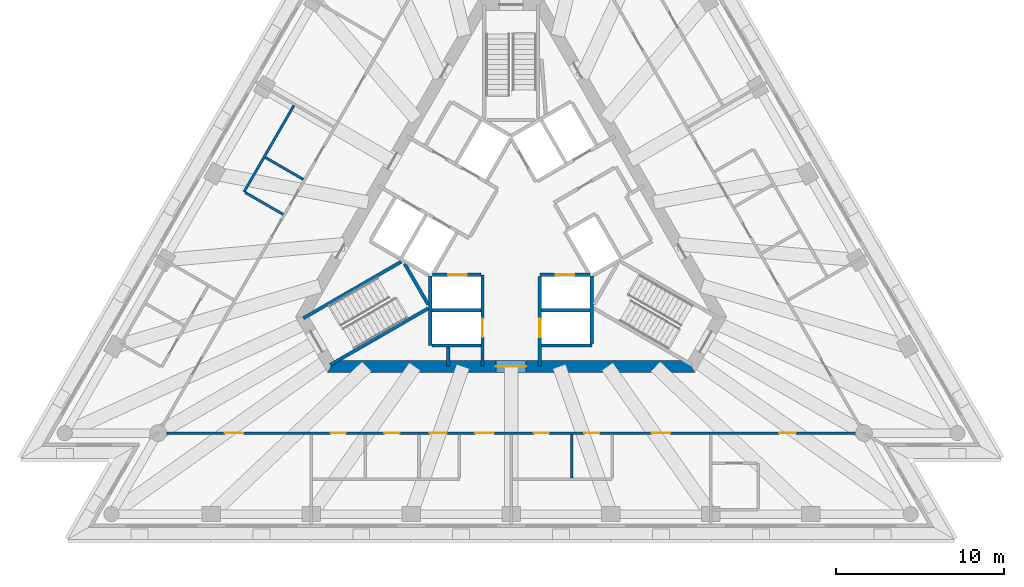
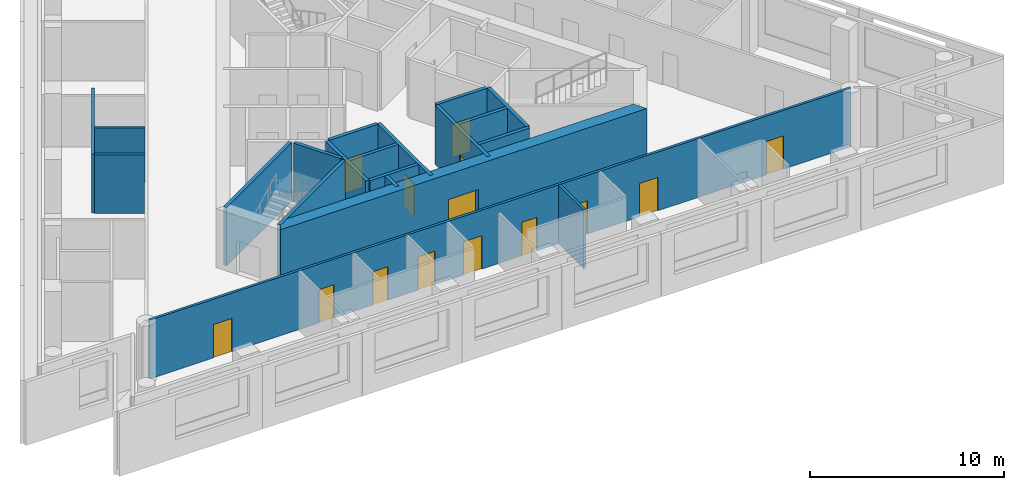
# One storey, part 3 of 9: 20 walls, 14 doors, 14 openings.
"""IFC4 building model written with IfcOpenShell, lengths in metres."""

from ifc_helpers import new_model, si_unit, direction, frame, frame_2d, origin, place, context, subcontext, project, spatial, polyline, rectangle, outline, extrude, material, layer, layer_set, type_object, element, fill, save


model = new_model("IFC4")

# Units and contexts
model_context = context("Model", 3, precision=1e-05, world=origin(), true_north=direction((0.0, 1.0)))
body_context = subcontext(model_context, "Body", "Model", "MODEL_VIEW")
ifc_project = project(units=[si_unit("LENGTHUNIT", "METRE"), si_unit("AREAUNIT", "SQUARE_METRE"), si_unit("VOLUMEUNIT", "CUBIC_METRE"), si_unit("PLANEANGLEUNIT", "RADIAN"), si_unit("MASSUNIT", "GRAM", prefix="KILO")], contexts=[model_context])

# Site, building, storey
site_placement = place(None, origin())
site = spatial("IfcSite", under=ifc_project, at=site_placement, CompositionType="ELEMENT")
building_placement = place(site_placement, origin())
building = spatial("IfcBuilding", under=site, at=building_placement, Name="Triada Interchange Tower", CompositionType="ELEMENT")
storey_placement = place(building_placement, frame((0.0, 0.0, 235.300048828125)))
storey = spatial("IfcBuildingStorey", under=building, at=storey_placement, Name="L55", CompositionType="ELEMENT", Elevation=235.300048828125)

# Walls
ifc_material_1 = material(Name="Concrete C30/37", Category="concrete")
ifc_layer_1 = layer(ifc_material_1, 0.199951171875)
ifc_layer_set_1 = layer_set([ifc_layer_1], Name="CORE WALL 200 EI 120")
wall_type_1 = type_object("IfcWallType", Name="CORE WALL 200 EI 120", PredefinedType="SOLIDWALL", material=ifc_layer_set_1)
for number, where, z_axis, x_axis, name in (
    (1, (-4.699951171875, -4.800048828125, 0.0), (0.0, 0.0, 1.0), (1.0, 0.0, 0.0), "Wall L53 44"),
    (2, (1.800048828125, -4.800048828125, 0.0), (0.0, 0.0, 1.0), (1.0, 0.0, 0.0), "Wall L53 45"),
):
    element("IfcWall", number, at=place(storey_placement, frame(where, z_axis=z_axis, x_axis=x_axis)), inside=storey, type_object=wall_type_1, Name=name, PredefinedType="SOLIDWALL", context=body_context, shape_type="SweptSolid", body=[
        extrude(rectangle(XDim=2.89990234375, YDim=0.199951171875, at=frame_2d((1.449951171875, 0.0))), origin(), (0.0, 0.0, 1.0), 3.699951171875),
    ])
wall_1_placement = place(storey_placement, frame((-4.800048828125, -6.89990234375, 0.0), z_axis=(0.0, 0.0, 1.0), x_axis=(0.0, 1.0, 0.0)))
element("IfcWall", 3, at=wall_1_placement, inside=storey, type_object=wall_type_1, Name="Wall L53 46", PredefinedType="SOLIDWALL", context=body_context, shape_type="SweptSolid", body=[
    extrude(rectangle(XDim=4.130859375, YDim=0.199951171875, at=frame_2d((2.0654296875, 0.0))), origin(), (0.0, 0.0, 1.0), 3.699951171875),
])
wall_2_placement = place(storey_placement, frame((-4.699951171875, -6.89990234375, 0.0), z_axis=(0.0, 0.0, 1.0), x_axis=(1.0, 0.0, 0.0)))
element("IfcWall", 4, at=wall_2_placement, inside=storey, type_object=wall_type_1, Name="Wall L53 47", PredefinedType="SOLIDWALL", context=body_context, shape_type="SweptSolid", body=[
    extrude(rectangle(XDim=2.89990234375, YDim=0.199951171875, at=frame_2d((1.449951171875, 0.0))), origin(), (0.0, 0.0, 1.0), 3.699951171875),
])
wall_3_placement = place(storey_placement, frame((1.800048828125, -6.89990234375, 0.0), z_axis=(0.0, 0.0, 1.0), x_axis=(1.0, 0.0, 0.0)))
element("IfcWall", 5, at=wall_3_placement, inside=storey, type_object=wall_type_1, Name="Wall L53 48", PredefinedType="SOLIDWALL", context=body_context, shape_type="SweptSolid", body=[
    extrude(rectangle(XDim=3.0, YDim=0.199951171875, at=frame_2d((1.5, 0.0))), origin(), (0.0, 0.0, 1.0), 3.699951171875),
])

# Wall, opening, door
wall_4_placement = place(storey_placement, frame((-1.699951171875, -8.1298828125, 0.0), z_axis=(0.0, 0.0, 1.0), x_axis=(0.0, 1.0, 0.0)))
wall_4 = element("IfcWall", 6, at=wall_4_placement, inside=storey, type_object=wall_type_1, Name="Wall L53 49", PredefinedType="SOLIDWALL", context=body_context, shape_type="SweptSolid", body=[
    extrude(rectangle(XDim=5.427001953125, YDim=0.199951171875, at=frame_2d((2.71337890625, 0.0))), origin(), (0.0, 0.0, 1.0), 3.699951171875),
])
opening_1_placement = place(wall_4_placement, frame((1.72998046875, 0.0, 0.0)))
opening_1 = element("IfcOpeningElement", 7, at=opening_1_placement, cuts=wall_4, Name="Opening LD-HR4", PredefinedType="OPENING", context=body_context, shape_type="SweptSolid", body=[
    extrude(rectangle(XDim=1.10009765625, YDim=2.10009765625, at=frame_2d((0.550048828125, 1.050048828125))), frame((0.0, 0.10986328125, 0.0), z_axis=(0.0, -1.0, 0.0), x_axis=(1.0, 0.0, 0.0)), (0.0, 0.0, 1.0), 0.219970703125),
])
ifc_material_2 = material(Name="Steel S235 door leaf", Category="steel")
door_type_1 = type_object("IfcDoorType", Name="LIFT LANDING DOOR 1100 EI 120", OperationType="SLIDING_TO_LEFT", PredefinedType="DOOR", material=ifc_material_2)
door_1_placement = place(opening_1_placement, origin())
door_1 = element("IfcDoor", 8, at=door_1_placement, inside=storey, type_object=door_type_1, Name="HR4 landing door L55", OperationType="SLIDING_TO_LEFT", OverallHeight=2.10009765625, OverallWidth=1.10009765625, PredefinedType="DOOR", context=body_context, shape_type="SweptSolid", body=[
    extrude(rectangle(XDim=1.10009765625, YDim=2.10009765625, at=frame_2d((0.550048828125, 1.050048828125))), frame((0.0, 0.02490234375, 0.0), z_axis=(0.0, -1.0, 0.0), x_axis=(1.0, 0.0, 0.0)), (0.0, 0.0, 1.0), 0.050048828125),
])
fill(opening_1, door_1)

wall_5_placement = place(storey_placement, frame((-4.676025390625, -2.699951171875, 0.0), z_axis=(0.0, 0.0, 1.0), x_axis=(1.0, 0.0, 0.0)))
wall_5 = element("IfcWall", 9, at=wall_5_placement, inside=storey, type_object=wall_type_1, Name="Wall L53 50", PredefinedType="SOLIDWALL", context=body_context, shape_type="SweptSolid", body=[
    extrude(rectangle(XDim=2.873046875, YDim=0.199951171875, at=frame_2d((1.4365234375, 0.0))), origin(), (0.0, 0.0, 1.0), 3.699951171875),
])
opening_2_placement = place(wall_5_placement, frame((0.93701171875, 0.0, 0.0)))
opening_2 = element("IfcOpeningElement", 10, at=opening_2_placement, cuts=wall_5, Name="Opening LD-HR3", PredefinedType="OPENING", context=body_context, shape_type="SweptSolid", body=[
    extrude(rectangle(XDim=1.10009765625, YDim=2.10009765625, at=frame_2d((0.550048828125, 1.050048828125))), frame((0.0, 0.10986328125, 0.0), z_axis=(0.0, -1.0, 0.0), x_axis=(1.0, 0.0, 0.0)), (0.0, 0.0, 1.0), 0.219970703125),
])
door_2_placement = place(opening_2_placement, origin())
door_2 = element("IfcDoor", 11, at=door_2_placement, inside=storey, type_object=door_type_1, Name="HR3 landing door L55", OperationType="SLIDING_TO_LEFT", OverallHeight=2.10009765625, OverallWidth=1.10009765625, PredefinedType="DOOR", context=body_context, shape_type="SweptSolid", body=[
    extrude(rectangle(XDim=1.10009765625, YDim=2.10009765625, at=frame_2d((0.550048828125, 1.050048828125))), frame((0.0, 0.02490234375, 0.0), z_axis=(0.0, -1.0, 0.0), x_axis=(1.0, 0.0, 0.0)), (0.0, 0.0, 1.0), 0.050048828125),
])
fill(opening_2, door_2)

wall_6_placement = place(storey_placement, frame((1.702880859375, -2.699951171875, 0.0), z_axis=(0.0, 0.0, 1.0), x_axis=(1.0, 0.0, 0.0)))
wall_6 = element("IfcWall", 12, at=wall_6_placement, inside=storey, type_object=wall_type_1, Name="Wall L53 51", PredefinedType="SOLIDWALL", context=body_context, shape_type="SweptSolid", body=[
    extrude(rectangle(XDim=2.97314453125, YDim=0.199951171875, at=frame_2d((1.486572265625, 0.0))), origin(), (0.0, 0.0, 1.0), 3.699951171875),
])
opening_3_placement = place(wall_6_placement, frame((0.93603515625, 0.0, 0.0)))
opening_3 = element("IfcOpeningElement", 13, at=opening_3_placement, cuts=wall_6, Name="Opening LD-HR1", PredefinedType="OPENING", context=body_context, shape_type="SweptSolid", body=[
    extrude(rectangle(XDim=1.10009765625, YDim=2.10009765625, at=frame_2d((0.550048828125, 1.050048828125))), frame((0.0, 0.10986328125, 0.0), z_axis=(0.0, -1.0, 0.0), x_axis=(1.0, 0.0, 0.0)), (0.0, 0.0, 1.0), 0.219970703125),
])
door_3_placement = place(opening_3_placement, origin())
door_3 = element("IfcDoor", 14, at=door_3_placement, inside=storey, type_object=door_type_1, Name="HR1 landing door L55", OperationType="SLIDING_TO_LEFT", OverallHeight=2.10009765625, OverallWidth=1.10009765625, PredefinedType="DOOR", context=body_context, shape_type="SweptSolid", body=[
    extrude(rectangle(XDim=1.10009765625, YDim=2.10009765625, at=frame_2d((0.550048828125, 1.050048828125))), frame((0.0, 0.02490234375, 0.0), z_axis=(0.0, -1.0, 0.0), x_axis=(1.0, 0.0, 0.0)), (0.0, 0.0, 1.0), 0.050048828125),
])
fill(opening_3, door_3)

wall_7_placement = place(storey_placement, frame((1.699951171875, -8.1298828125, 0.0), z_axis=(0.0, 0.0, 1.0), x_axis=(0.0, 1.0, 0.0)))
wall_7 = element("IfcWall", 15, at=wall_7_placement, inside=storey, type_object=wall_type_1, Name="Wall L53 56", PredefinedType="SOLIDWALL", context=body_context, shape_type="SweptSolid", body=[
    extrude(rectangle(XDim=5.326904296875, YDim=0.199951171875, at=frame_2d((2.66357421875, 0.0))), origin(), (0.0, 0.0, 1.0), 3.699951171875),
])
opening_4_placement = place(wall_7_placement, frame((1.72998046875, 0.0, 0.0)))
opening_4 = element("IfcOpeningElement", 16, at=opening_4_placement, cuts=wall_7, Name="Opening LD-HR2", PredefinedType="OPENING", context=body_context, shape_type="SweptSolid", body=[
    extrude(rectangle(XDim=1.10009765625, YDim=2.10009765625, at=frame_2d((0.550048828125, 1.050048828125))), frame((0.0, 0.10986328125, 0.0), z_axis=(0.0, -1.0, 0.0), x_axis=(1.0, 0.0, 0.0)), (0.0, 0.0, 1.0), 0.219970703125),
])
door_4_placement = place(opening_4_placement, origin())
door_4 = element("IfcDoor", 17, at=door_4_placement, inside=storey, type_object=door_type_1, Name="HR2 landing door L55", OperationType="SLIDING_TO_LEFT", OverallHeight=2.10009765625, OverallWidth=1.10009765625, PredefinedType="DOOR", context=body_context, shape_type="SweptSolid", body=[
    extrude(rectangle(XDim=1.10009765625, YDim=2.10009765625, at=frame_2d((0.550048828125, 1.050048828125))), frame((0.0, 0.02490234375, 0.0), z_axis=(0.0, -1.0, 0.0), x_axis=(1.0, 0.0, 0.0)), (0.0, 0.0, 1.0), 0.050048828125),
])
fill(opening_4, door_4)

# Walls
wall_8_placement = place(storey_placement, frame((4.800048828125, -6.800048828125, 0.0), z_axis=(0.0, 0.0, 1.0), x_axis=(0.0, 1.0, 0.0)))
element("IfcWall", 18, at=wall_8_placement, inside=storey, type_object=wall_type_1, Name="Wall L53 57", PredefinedType="SOLIDWALL", context=body_context, shape_type="SweptSolid", body=[
    extrude(rectangle(XDim=4.029052734375, YDim=0.199951171875, at=frame_2d((2.0146484375, 0.0))), origin(), (0.0, 0.0, 1.0), 3.699951171875),
])
ifc_layer_2 = layer(ifc_material_1, 0.199951171875)
ifc_layer_set_2 = layer_set([ifc_layer_2], Name="CORE WALL 200 EI 90")
wall_type_2 = type_object("IfcWallType", Name="CORE WALL 200 EI 90", PredefinedType="SOLIDWALL", material=ifc_layer_set_2)
wall_9_placement = place(storey_placement, frame((-3.72412109375, -8.1298828125, 0.0), z_axis=(0.0, 0.0, 1.0), x_axis=(0.0, 1.0, 0.0)))
element("IfcWall", 19, at=wall_9_placement, inside=storey, type_object=wall_type_2, Name="Wall L53 82", PredefinedType="SOLIDWALL", context=body_context, shape_type="SweptSolid", body=[
    extrude(rectangle(XDim=1.1298828125, YDim=0.199951171875, at=frame_2d((0.56494140625, 0.0))), origin(), (0.0, 0.0, 1.0), 3.699951171875),
])
ifc_layer_3 = layer(ifc_material_1, 0.199951171875)
ifc_layer_set_3 = layer_set([ifc_layer_3], Name="CORE WALL 200 REI 240")
wall_type_3 = type_object("IfcWallType", Name="CORE WALL 200 REI 240", PredefinedType="SOLIDWALL", material=ifc_layer_set_3)
wall_10_placement = place(storey_placement, frame((-12.343994140625, -5.279052734375, 0.0), z_axis=(0.0, 0.0, 1.0), x_axis=(0.866046323291, 0.499963764601, 0.0)))
element("IfcWall", 20, at=wall_10_placement, inside=storey, type_object=wall_type_3, Name="Wall L53 87", PredefinedType="SOLIDWALL", context=body_context, shape_type="SweptSolid", body=[
    extrude(rectangle(XDim=6.71435546875, YDim=0.199951171875, at=frame_2d((3.357177734375, 0.0))), origin(), (0.0, 0.0, 1.0), 3.699951171875),
])
wall_11_placement = place(storey_placement, frame((-6.3291015625, -2.0380859375, 0.0), z_axis=(0.0, 0.0, 1.0), x_axis=(0.500200581029, -0.865909567298, 0.0)))
element("IfcWall", 21, at=wall_11_placement, inside=storey, type_object=wall_type_3, Name="Wall L53 88", PredefinedType="SOLIDWALL", context=body_context, shape_type="SweptSolid", body=[
    extrude(rectangle(XDim=2.799072265625, YDim=0.199951171875, at=frame_2d((1.3994140625, 0.0))), origin(), (0.0, 0.0, 1.0), 3.699951171875),
])
wall_12_placement = place(storey_placement, frame((-10.743896484375, -8.051025390625, 0.0), z_axis=(0.0, 0.0, 1.0), x_axis=(0.865983344943, 0.500072840975, 0.0)))
element("IfcWall", 22, at=wall_12_placement, inside=storey, type_object=wall_type_3, Name="Wall L53 89", PredefinedType="SOLIDWALL", context=body_context, shape_type="SweptSolid", body=[
    extrude(rectangle(XDim=6.71484375, YDim=0.199951171875, at=frame_2d((3.357421875, 0.0))), origin(), (0.0, 0.0, 1.0), 3.699951171875),
])

# Wall, opening, door
ifc_material_3 = material(Name="Concrete C50/60", Category="concrete")
ifc_layer_4 = layer(ifc_material_3, 0.699951171875)
ifc_layer_set_4 = layer_set([ifc_layer_4], Name="Core wall C 700")
wall_type_4 = type_object("IfcWallType", Name="Core wall C 700", PredefinedType="SHEAR", material=ifc_layer_set_4)
wall_13_placement = place(storey_placement, frame((-10.7099609375, -8.14990234375, -0.300048828125), z_axis=(0.0, 0.0, 1.0), x_axis=(1.0, 0.0, 0.0)))
wall_13 = element("IfcWall", 23, at=wall_13_placement, inside=storey, type_object=wall_type_4, Name="Core wall WC04 L55", PredefinedType="SHEAR", context=body_context, shape_type="SweptSolid", body=[
    extrude(outline(polyline([(-0.201904296875, -0.35009765625), (1.781982421875, -0.35009765625), (3.76611328125, -0.35009765625), (5.75, -0.35009765625), (7.734130859375, -0.35009765625), (9.718017578125, -0.35009765625), (11.7021484375, -0.35009765625), (13.68603515625, -0.35009765625), (15.670166015625, -0.35009765625), (17.654052734375, -0.35009765625), (19.63818359375, -0.35009765625), (21.6220703125, -0.35009765625), (21.218017578125, 0.35009765625), (19.307373046875, 0.35009765625), (17.39697265625, 0.35009765625), (15.486328125, 0.35009765625), (13.57568359375, 0.35009765625), (11.665283203125, 0.35009765625), (9.754638671875, 0.35009765625), (7.84423828125, 0.35009765625), (5.93359375, 0.35009765625), (4.02294921875, 0.35009765625), (2.112548828125, 0.35009765625), (0.201904296875, 0.35009765625), (-0.201904296875, -0.35009765625)])), origin(), (0.0, 0.0, 1.0), 4.0),
])
opening_5_placement = place(wall_13_placement, frame((9.81005859375, 0.0, 0.300048828125)))
opening_5 = element("IfcOpeningElement", 24, at=opening_5_placement, cuts=wall_13, Name="Opening D53-39", PredefinedType="OPENING", context=body_context, shape_type="SweptSolid", body=[
    extrude(rectangle(XDim=1.800048828125, YDim=2.10009765625, at=frame_2d((0.89990234375, 1.050048828125))), frame((0.0, 0.360107421875, 0.0), z_axis=(0.0, -1.0, 0.0), x_axis=(1.0, 0.0, 0.0)), (0.0, 0.0, 1.0), 0.72021484375),
])
door_type_2 = type_object("IfcDoorType", Name="LOBBY DOOR 1800 EI2 90-C5S200", OperationType="DOUBLE_DOOR_SINGLE_SWING", PredefinedType="DOOR", material=ifc_material_2)
door_5_placement = place(opening_5_placement, origin())
door_5 = element("IfcDoor", 25, at=door_5_placement, inside=storey, type_object=door_type_2, Name="Door D53-39 L55", OperationType="DOUBLE_DOOR_SINGLE_SWING", OverallHeight=2.10009765625, OverallWidth=1.800048828125, PredefinedType="DOOR", context=body_context, shape_type="SweptSolid", body=[
    extrude(rectangle(XDim=1.800048828125, YDim=2.10009765625, at=frame_2d((0.89990234375, 1.050048828125))), frame((0.0, 0.02490234375, 0.0), z_axis=(0.0, -1.0, 0.0), x_axis=(1.0, 0.0, 0.0)), (0.0, 0.0, 1.0), 0.050048828125),
])
fill(opening_5, door_5)

# Wall, openings, doors
ifc_material_4 = material(Name="Gypsum board partition")
ifc_layer_5 = layer(ifc_material_4, 0.14990234375)
ifc_layer_set_5 = layer_set([ifc_layer_5], Name="PARTITION 150 EI 180")
wall_type_5 = type_object("IfcWallType", Name="PARTITION 150 EI 180", PredefinedType="PARTITIONING", material=ifc_layer_set_5)
wall_14_placement = place(storey_placement, frame((-20.80810546875, -12.10009765625, 0.0), z_axis=(0.0, 0.0, 1.0), x_axis=(1.0, 0.0, 0.0)))
wall_14 = element("IfcWall", 26, at=wall_14_placement, inside=storey, type_object=wall_type_5, Name="Wall L53 5", PredefinedType="PARTITIONING", context=body_context, shape_type="SweptSolid", body=[
    extrude(rectangle(XDim=41.76611328125, YDim=0.14990234375, at=frame_2d((20.883056640625, 0.0))), origin(), (0.0, 0.0, 1.0), 3.699951171875),
])
opening_6_placement = place(wall_14_placement, frame((3.800048828125, 0.0, 0.0)))
opening_6 = element("IfcOpeningElement", 27, at=opening_6_placement, cuts=wall_14, Name="Opening D53-11", PredefinedType="OPENING", context=body_context, shape_type="SweptSolid", body=[
    extrude(rectangle(XDim=1.10009765625, YDim=2.10009765625, at=frame_2d((0.550048828125, 1.050048828125))), frame((0.0, 0.0849609375, 0.0), z_axis=(0.0, -1.0, 0.0), x_axis=(1.0, 0.0, 0.0)), (0.0, 0.0, 1.0), 0.169921875),
])
opening_7_placement = place(wall_14_placement, frame((18.68505859375, 0.0, 0.0)))
opening_7 = element("IfcOpeningElement", 28, at=opening_7_placement, cuts=wall_14, Name="Opening D53-12", PredefinedType="OPENING", context=body_context, shape_type="SweptSolid", body=[
    extrude(rectangle(XDim=1.10009765625, YDim=2.10009765625, at=frame_2d((0.550048828125, 1.050048828125))), frame((0.0, 0.0849609375, 0.0), z_axis=(0.0, -1.0, 0.0), x_axis=(1.0, 0.0, 0.0)), (0.0, 0.0, 1.0), 0.169921875),
])
opening_8_placement = place(wall_14_placement, frame((10.0849609375, 0.0, 0.0)))
opening_8 = element("IfcOpeningElement", 29, at=opening_8_placement, cuts=wall_14, Name="Opening D53-13", PredefinedType="OPENING", context=body_context, shape_type="SweptSolid", body=[
    extrude(rectangle(XDim=0.89990234375, YDim=2.10009765625, at=frame_2d((0.449951171875, 1.050048828125))), frame((0.0, 0.0849609375, 0.0), z_axis=(0.0, -1.0, 0.0), x_axis=(1.0, 0.0, 0.0)), (0.0, 0.0, 1.0), 0.169921875),
])
opening_9_placement = place(wall_14_placement, frame((13.284912109375, 0.0, 0.0)))
opening_9 = element("IfcOpeningElement", 30, at=opening_9_placement, cuts=wall_14, Name="Opening D53-14", PredefinedType="OPENING", context=body_context, shape_type="SweptSolid", body=[
    extrude(rectangle(XDim=0.89990234375, YDim=2.10009765625, at=frame_2d((0.449951171875, 1.050048828125))), frame((0.0, 0.0849609375, 0.0), z_axis=(0.0, -1.0, 0.0), x_axis=(1.0, 0.0, 0.0)), (0.0, 0.0, 1.0), 0.169921875),
])
opening_10_placement = place(wall_14_placement, frame((15.985107421875, 0.0, 0.0)))
opening_10 = element("IfcOpeningElement", 31, at=opening_10_placement, cuts=wall_14, Name="Opening D53-15", PredefinedType="OPENING", context=body_context, shape_type="SweptSolid", body=[
    extrude(rectangle(XDim=1.0, YDim=2.10009765625, at=frame_2d((0.5, 1.050048828125))), frame((0.0, 0.0849609375, 0.0), z_axis=(0.0, -1.0, 0.0), x_axis=(1.0, 0.0, 0.0)), (0.0, 0.0, 1.0), 0.169921875),
])
opening_11_placement = place(wall_14_placement, frame((29.157958984375, 0.0, 0.0)))
opening_11 = element("IfcOpeningElement", 32, at=opening_11_placement, cuts=wall_14, Name="Opening D53-16", PredefinedType="OPENING", context=body_context, shape_type="SweptSolid", body=[
    extrude(rectangle(XDim=1.10009765625, YDim=2.10009765625, at=frame_2d((0.550048828125, 1.050048828125))), frame((0.0, 0.0849609375, 0.0), z_axis=(0.0, -1.0, 0.0), x_axis=(1.0, 0.0, 0.0)), (0.0, 0.0, 1.0), 0.169921875),
])
opening_12_placement = place(wall_14_placement, frame((22.157958984375, 0.0, 0.0)))
opening_12 = element("IfcOpeningElement", 33, at=opening_12_placement, cuts=wall_14, Name="Opening D53-17", PredefinedType="OPENING", context=body_context, shape_type="SweptSolid", body=[
    extrude(rectangle(XDim=0.89990234375, YDim=2.10009765625, at=frame_2d((0.449951171875, 1.050048828125))), frame((0.0, 0.0849609375, 0.0), z_axis=(0.0, -1.0, 0.0), x_axis=(1.0, 0.0, 0.0)), (0.0, 0.0, 1.0), 0.169921875),
])
opening_13_placement = place(wall_14_placement, frame((25.157958984375, 0.0, 0.0)))
opening_13 = element("IfcOpeningElement", 34, at=opening_13_placement, cuts=wall_14, Name="Opening D53-18", PredefinedType="OPENING", context=body_context, shape_type="SweptSolid", body=[
    extrude(rectangle(XDim=0.89990234375, YDim=2.10009765625, at=frame_2d((0.449951171875, 1.050048828125))), frame((0.0, 0.0849609375, 0.0), z_axis=(0.0, -1.0, 0.0), x_axis=(1.0, 0.0, 0.0)), (0.0, 0.0, 1.0), 0.169921875),
])
opening_14_placement = place(wall_14_placement, frame((36.73095703125, 0.0, 0.0)))
opening_14 = element("IfcOpeningElement", 35, at=opening_14_placement, cuts=wall_14, Name="Opening D53-19", PredefinedType="OPENING", context=body_context, shape_type="SweptSolid", body=[
    extrude(rectangle(XDim=1.0, YDim=2.10009765625, at=frame_2d((0.5, 1.050048828125))), frame((0.0, 0.0849609375, 0.0), z_axis=(0.0, -1.0, 0.0), x_axis=(1.0, 0.0, 0.0)), (0.0, 0.0, 1.0), 0.169921875),
])
door_type_3 = type_object("IfcDoorType", Name="ROOM DOOR 1000 EI2 90-C5S200", OperationType="NOTDEFINED", PredefinedType="DOOR", material=ifc_material_2)
door_6_placement = place(opening_10_placement, origin())
door_6 = element("IfcDoor", 36, at=door_6_placement, inside=storey, type_object=door_type_3, Name="Door D53-15 L55", OperationType="SINGLE_SWING_LEFT", OverallHeight=2.10009765625, OverallWidth=1.0, PredefinedType="DOOR", context=body_context, shape_type="SweptSolid", body=[
    extrude(rectangle(XDim=1.0, YDim=2.10009765625, at=frame_2d((0.5, 1.050048828125))), frame((0.0, 0.02490234375, 0.0), z_axis=(0.0, -1.0, 0.0), x_axis=(1.0, 0.0, 0.0)), (0.0, 0.0, 1.0), 0.050048828125),
])
fill(opening_10, door_6)
door_7_placement = place(opening_14_placement, origin())
door_7 = element("IfcDoor", 37, at=door_7_placement, inside=storey, type_object=door_type_3, Name="Door D53-19 L55", OperationType="SINGLE_SWING_LEFT", OverallHeight=2.10009765625, OverallWidth=1.0, PredefinedType="DOOR", context=body_context, shape_type="SweptSolid", body=[
    extrude(rectangle(XDim=1.0, YDim=2.10009765625, at=frame_2d((0.5, 1.050048828125))), frame((0.0, 0.02490234375, 0.0), z_axis=(0.0, -1.0, 0.0), x_axis=(1.0, 0.0, 0.0)), (0.0, 0.0, 1.0), 0.050048828125),
])
fill(opening_14, door_7)
door_type_4 = type_object("IfcDoorType", Name="ROOM DOOR 900 EI2 90-C5S200", OperationType="NOTDEFINED", PredefinedType="DOOR", material=ifc_material_2)
door_8_placement = place(opening_8_placement, origin())
door_8 = element("IfcDoor", 38, at=door_8_placement, inside=storey, type_object=door_type_4, Name="Door D53-13 L55", OperationType="SINGLE_SWING_RIGHT", OverallHeight=2.10009765625, OverallWidth=0.89990234375, PredefinedType="DOOR", context=body_context, shape_type="SweptSolid", body=[
    extrude(rectangle(XDim=0.89990234375, YDim=2.10009765625, at=frame_2d((0.449951171875, 1.050048828125))), frame((0.0, 0.02490234375, 0.0), z_axis=(0.0, -1.0, 0.0), x_axis=(1.0, 0.0, 0.0)), (0.0, 0.0, 1.0), 0.050048828125),
])
fill(opening_8, door_8)
door_9_placement = place(opening_9_placement, origin())
door_9 = element("IfcDoor", 39, at=door_9_placement, inside=storey, type_object=door_type_4, Name="Door D53-14 L55", OperationType="SINGLE_SWING_RIGHT", OverallHeight=2.10009765625, OverallWidth=0.89990234375, PredefinedType="DOOR", context=body_context, shape_type="SweptSolid", body=[
    extrude(rectangle(XDim=0.89990234375, YDim=2.10009765625, at=frame_2d((0.449951171875, 1.050048828125))), frame((0.0, 0.02490234375, 0.0), z_axis=(0.0, -1.0, 0.0), x_axis=(1.0, 0.0, 0.0)), (0.0, 0.0, 1.0), 0.050048828125),
])
fill(opening_9, door_9)
door_10_placement = place(opening_12_placement, origin())
door_10 = element("IfcDoor", 40, at=door_10_placement, inside=storey, type_object=door_type_4, Name="Door D53-17 L55", OperationType="SINGLE_SWING_RIGHT", OverallHeight=2.10009765625, OverallWidth=0.89990234375, PredefinedType="DOOR", context=body_context, shape_type="SweptSolid", body=[
    extrude(rectangle(XDim=0.89990234375, YDim=2.10009765625, at=frame_2d((0.449951171875, 1.050048828125))), frame((0.0, 0.02490234375, 0.0), z_axis=(0.0, -1.0, 0.0), x_axis=(1.0, 0.0, 0.0)), (0.0, 0.0, 1.0), 0.050048828125),
])
fill(opening_12, door_10)
door_11_placement = place(opening_13_placement, origin())
door_11 = element("IfcDoor", 41, at=door_11_placement, inside=storey, type_object=door_type_4, Name="Door D53-18 L55", OperationType="SINGLE_SWING_RIGHT", OverallHeight=2.10009765625, OverallWidth=0.89990234375, PredefinedType="DOOR", context=body_context, shape_type="SweptSolid", body=[
    extrude(rectangle(XDim=0.89990234375, YDim=2.10009765625, at=frame_2d((0.449951171875, 1.050048828125))), frame((0.0, 0.02490234375, 0.0), z_axis=(0.0, -1.0, 0.0), x_axis=(1.0, 0.0, 0.0)), (0.0, 0.0, 1.0), 0.050048828125),
])
fill(opening_13, door_11)
door_type_5 = type_object("IfcDoorType", Name="TENANCY ENTRANCE DOOR 1100 EI2 90-C5S200", OperationType="NOTDEFINED", PredefinedType="DOOR", material=ifc_material_2)
door_12_placement = place(opening_6_placement, origin())
door_12 = element("IfcDoor", 42, at=door_12_placement, inside=storey, type_object=door_type_5, Name="Door D53-11 L55", OperationType="SINGLE_SWING_RIGHT", OverallHeight=2.10009765625, OverallWidth=1.10009765625, PredefinedType="DOOR", context=body_context, shape_type="SweptSolid", body=[
    extrude(rectangle(XDim=1.10009765625, YDim=2.10009765625, at=frame_2d((0.550048828125, 1.050048828125))), frame((0.0, 0.02490234375, 0.0), z_axis=(0.0, -1.0, 0.0), x_axis=(1.0, 0.0, 0.0)), (0.0, 0.0, 1.0), 0.050048828125),
])
fill(opening_6, door_12)
door_13_placement = place(opening_7_placement, origin())
door_13 = element("IfcDoor", 43, at=door_13_placement, inside=storey, type_object=door_type_5, Name="Door D53-12 L55", OperationType="SINGLE_SWING_LEFT", OverallHeight=2.10009765625, OverallWidth=1.10009765625, PredefinedType="DOOR", context=body_context, shape_type="SweptSolid", body=[
    extrude(rectangle(XDim=1.10009765625, YDim=2.10009765625, at=frame_2d((0.550048828125, 1.050048828125))), frame((0.0, 0.02490234375, 0.0), z_axis=(0.0, -1.0, 0.0), x_axis=(1.0, 0.0, 0.0)), (0.0, 0.0, 1.0), 0.050048828125),
])
fill(opening_7, door_13)
door_14_placement = place(opening_11_placement, origin())
door_14 = element("IfcDoor", 44, at=door_14_placement, inside=storey, type_object=door_type_5, Name="Door D53-16 L55", OperationType="SINGLE_SWING_LEFT", OverallHeight=2.10009765625, OverallWidth=1.10009765625, PredefinedType="DOOR", context=body_context, shape_type="SweptSolid", body=[
    extrude(rectangle(XDim=1.10009765625, YDim=2.10009765625, at=frame_2d((0.550048828125, 1.050048828125))), frame((0.0, 0.02490234375, 0.0), z_axis=(0.0, -1.0, 0.0), x_axis=(1.0, 0.0, 0.0)), (0.0, 0.0, 1.0), 0.050048828125),
])
fill(opening_11, door_14)

# Walls
wall_15_placement = place(storey_placement, frame((-15.867919921875, 2.23291015625, 0.0), z_axis=(0.0, 0.0, 1.0), x_axis=(0.499932914044, 0.866064132415, 0.0)))
element("IfcWall", 45, at=wall_15_placement, inside=storey, type_object=wall_type_5, Name="Wall L53 8", PredefinedType="PARTITIONING", context=body_context, shape_type="SweptSolid", body=[
    extrude(rectangle(XDim=5.924560546875, YDim=0.14990234375, at=frame_2d((2.96240234375, 0.0))), origin(), (0.0, 0.0, 1.0), 3.699951171875),
])
for number, where, z_axis, x_axis, name in (
    (46, (-15.802978515625, 2.195068359375, 0.0), (0.0, 0.0, 1.0), (0.8660749285, -0.499914210863, 0.0), "Wall L53 9"),
    (47, (-14.60302734375, 4.27294921875, 0.0), (0.0, 0.0, 1.0), (0.8660749285, -0.499914210863, 0.0), "Wall L53 10"),
):
    element("IfcWall", number, at=place(storey_placement, frame(where, z_axis=z_axis, x_axis=x_axis)), inside=storey, type_object=wall_type_5, Name=name, PredefinedType="PARTITIONING", context=body_context, shape_type="SweptSolid", body=[
        extrude(rectangle(XDim=2.6083984375, YDim=0.14990234375, at=frame_2d((1.30419921875, 0.0))), origin(), (0.0, 0.0, 1.0), 3.699951171875),
    ])
wall_16_placement = place(storey_placement, frame((3.60009765625, -14.783935546875, 0.0), z_axis=(0.0, 0.0, 1.0), x_axis=(0.0, 1.0, 0.0)))
element("IfcWall", 48, at=wall_16_placement, inside=storey, type_object=wall_type_5, Name="Wall L53 22", PredefinedType="PARTITIONING", context=body_context, shape_type="SweptSolid", body=[
    extrude(rectangle(XDim=2.60888671875, YDim=0.14990234375, at=frame_2d((1.304443359375, 0.0))), origin(), (0.0, 0.0, 1.0), 3.699951171875),
])

save(model, "model.ifc")
